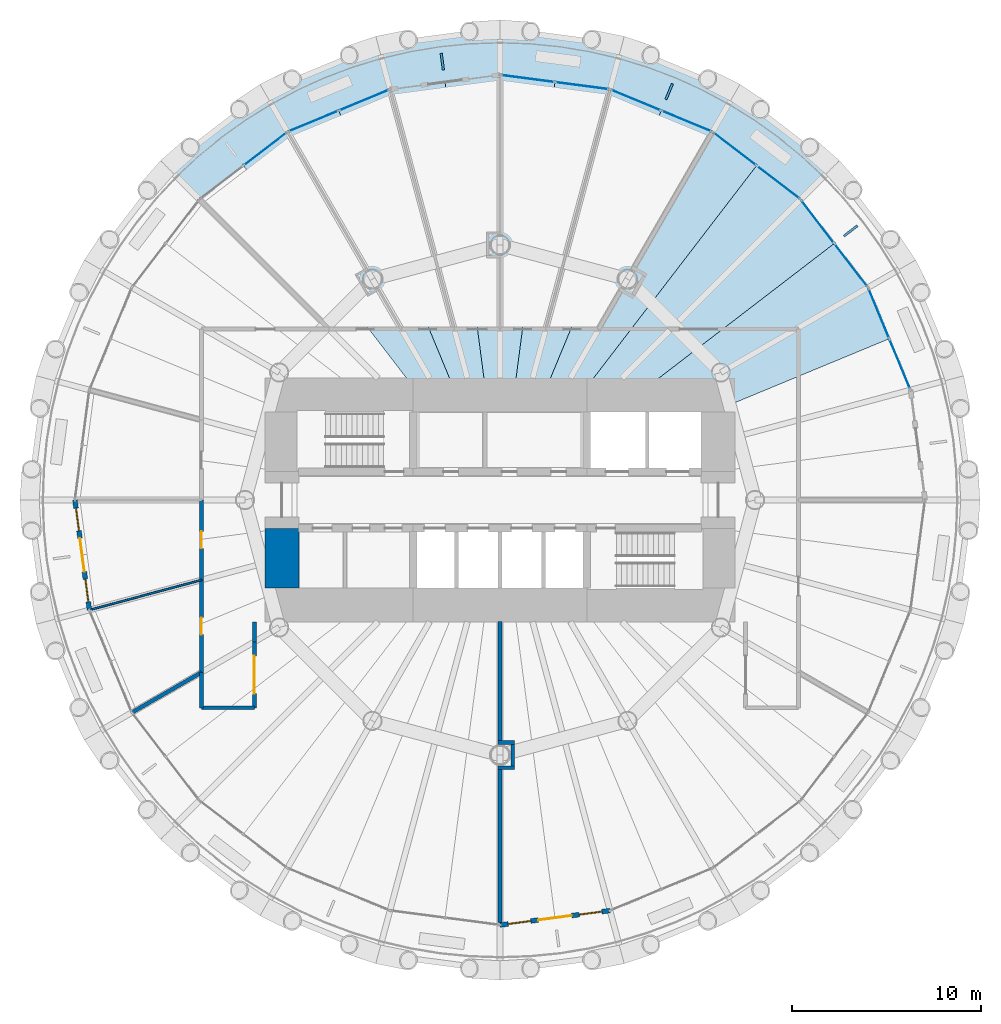
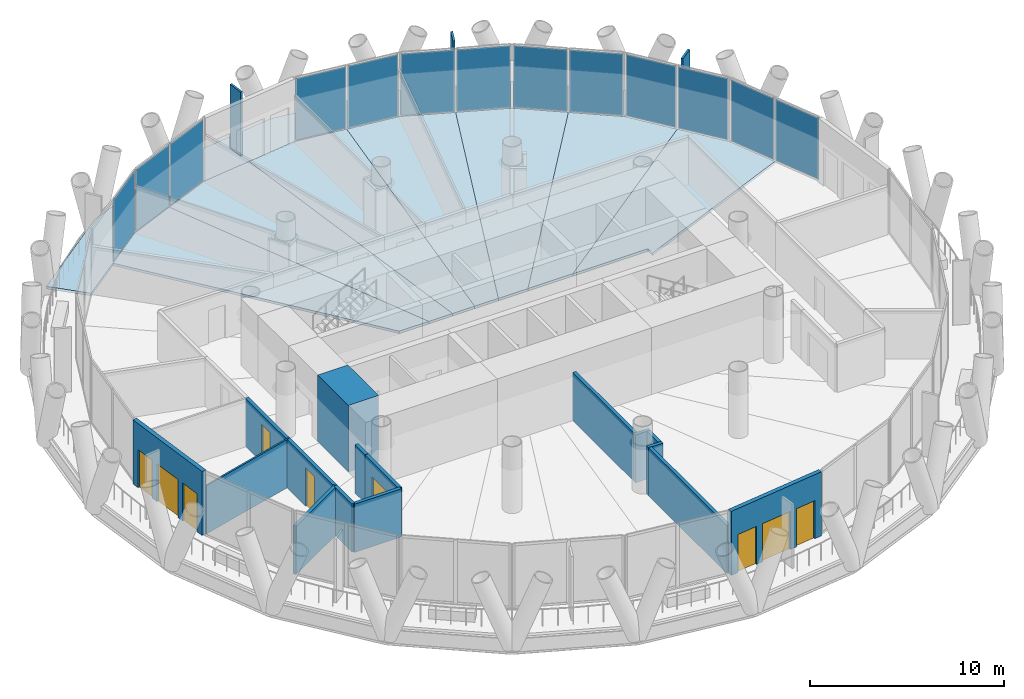
# One storey, part 8 of 15: 16 plates, 16 walls, 8 slabs, 5 doors, 4 windows, 9 openings, 7 elements without a shape of their own.
"""IFC4 building model written with IfcOpenShell, lengths in metres."""

from ifc_helpers import new_model, si_unit, direction, frame, frame_2d, origin, origin_2d, place, context, subcontext, project, spatial, polyline, rectangle, outline, extrude, material, layer, layer_set, type_object, element, fill, aggregate, save


model = new_model("IFC4")

# Units and contexts
model_context = context("Model", 3, precision=1e-05, world=origin(), true_north=direction((0.0, 1.0)))
body_context = subcontext(model_context, "Body", "Model", "MODEL_VIEW")
ifc_project = project(units=[si_unit("LENGTHUNIT", "METRE"), si_unit("AREAUNIT", "SQUARE_METRE"), si_unit("VOLUMEUNIT", "CUBIC_METRE"), si_unit("PLANEANGLEUNIT", "RADIAN"), si_unit("MASSUNIT", "GRAM", prefix="KILO")], contexts=[model_context])

# Site, building, storey
site_placement = place(None, origin())
site = spatial("IfcSite", under=ifc_project, at=site_placement, CompositionType="ELEMENT")
building_placement = place(site_placement, origin())
building = spatial("IfcBuilding", under=site, at=building_placement, Name="Qaws Media Tower", CompositionType="ELEMENT")
storey_placement = place(building_placement, frame((0.0, 0.0, 143.60009765625)))
storey = spatial("IfcBuildingStorey", under=building, at=storey_placement, Name="L32", CompositionType="ELEMENT", Elevation=143.60009765625)

# Slabs
ifc_material_1 = material(Name="Concrete C35/45", Category="concrete")
ifc_layer_1 = layer(ifc_material_1, 0.159912109375)
ifc_layer_set_1 = layer_set([ifc_layer_1], Name="Composite balcony slab 160")
slab_type_1 = type_object("IfcSlabType", Name="Composite balcony slab 160", PredefinedType="FLOOR", material=ifc_layer_set_1)
slab_1_placement = place(storey_placement, frame((0.0, 0.0, -0.16015625)))
element("IfcSlab", 1, at=slab_1_placement, inside=storey, type_object=slab_type_1, Name="S2 balcony slab L32 R04 to R10, movement joints on R04 and R10", PredefinedType="FLOOR", context=body_context, shape_type="SweptSolid", body=[
    extrude(outline(polyline([(47.550048828125, 71.56396484375), (53.555419921875, 74.051513671875), (60.0, 74.89990234375), (66.444580078125, 74.051513671875), (72.449951171875, 71.56396484375), (77.60693359375, 67.60693359375), (75.909912109375, 65.909912109375), (71.25, 69.485595703125), (65.823486328125, 71.7333984375), (60.0, 72.5), (54.176513671875, 71.7333984375), (48.75, 69.485595703125), (44.090087890625, 65.909912109375), (42.39306640625, 67.60693359375), (47.550048828125, 71.56396484375)])), origin(), (0.0, 0.0, 1.0), 0.16015625),
])
ifc_material_2 = material(Name="Concrete C35/45", Category="concrete")
ifc_layer_2 = layer(ifc_material_2, 0.159912109375)
ifc_layer_set_2 = layer_set([ifc_layer_2], Name="Composite floor slab 160")
slab_type_2 = type_object("IfcSlabType", Name="Composite floor slab 160", PredefinedType="FLOOR", material=ifc_layer_set_2)
slab_2_placement = place(storey_placement, frame((0.0, 0.0, -0.16015625)))
element("IfcSlab", 2, at=slab_2_placement, inside=storey, type_object=slab_type_2, Name="S1 floor panel L32 on R03", PredefinedType="FLOOR", context=body_context, shape_type="SweptSolid", body=[
    extrude(outline(polyline([(79.485595703125, 61.25), (80.609619140625, 58.53662109375), (71.0, 54.556396484375), (71.0, 55.0), (66.51611328125, 55.0), (77.69775390625, 63.580078125), (79.485595703125, 61.25)])), origin(), (0.0, 0.0, 1.0), 0.16015625),
])
slab_3_placement = place(storey_placement, frame((0.0, 0.0, -0.16015625)))
element("IfcSlab", 3, at=slab_3_placement, inside=storey, type_object=slab_type_2, Name="S1 floor panel L32 on R04", PredefinedType="FLOOR", context=body_context, shape_type="SweptSolid", body=[
    extrude(outline(polyline([(75.909912109375, 65.909912109375), (77.69775390625, 63.580078125), (66.51611328125, 55.0), (63.836669921875, 55.0), (73.580078125, 67.69775390625), (75.909912109375, 65.909912109375)])), origin(), (0.0, 0.0, 1.0), 0.16015625),
])
slab_4_placement = place(storey_placement, frame((0.0, 0.0, -0.16015625)))
element("IfcSlab", 4, at=slab_4_placement, inside=storey, type_object=slab_type_2, Name="S1 floor panel L32 on R05", PredefinedType="FLOOR", context=body_context, shape_type="SweptSolid", body=[
    extrude(outline(polyline([(71.25, 69.485595703125), (73.580078125, 67.69775390625), (63.836669921875, 55.0), (62.071044921875, 55.0), (68.53662109375, 70.609619140625), (71.25, 69.485595703125)])), origin(), (0.0, 0.0, 1.0), 0.16015625),
])
slab_5_placement = place(storey_placement, frame((0.0, 0.0, -0.16015625)))
element("IfcSlab", 5, at=slab_5_placement, inside=storey, type_object=slab_type_2, Name="S1 floor panel L32 on R06", PredefinedType="FLOOR", context=body_context, shape_type="SweptSolid", body=[
    extrude(outline(polyline([(65.823486328125, 71.7333984375), (68.53662109375, 70.609619140625), (62.071044921875, 55.0), (60.658203125, 55.0), (62.91162109375, 72.11669921875), (65.823486328125, 71.7333984375)])), origin(), (0.0, 0.0, 1.0), 0.16015625),
])
slab_6_placement = place(storey_placement, frame((0.0, 0.0, -0.16015625)))
element("IfcSlab", 6, at=slab_6_placement, inside=storey, type_object=slab_type_2, Name="S1 floor panel L32 on R07", PredefinedType="FLOOR", context=body_context, shape_type="SweptSolid", body=[
    extrude(outline(polyline([(60.0, 72.5), (62.91162109375, 72.11669921875), (60.658203125, 55.0), (59.341796875, 55.0), (57.08837890625, 72.11669921875), (60.0, 72.5)])), origin(), (0.0, 0.0, 1.0), 0.16015625),
])
slab_7_placement = place(storey_placement, frame((0.0, 0.0, -0.16015625)))
element("IfcSlab", 7, at=slab_7_placement, inside=storey, type_object=slab_type_2, Name="S1 floor panel L32 on R08", PredefinedType="FLOOR", context=body_context, shape_type="SweptSolid", body=[
    extrude(outline(polyline([(54.176513671875, 71.7333984375), (57.08837890625, 72.11669921875), (59.341796875, 55.0), (57.928955078125, 55.0), (51.46337890625, 70.609619140625), (54.176513671875, 71.7333984375)])), origin(), (0.0, 0.0, 1.0), 0.16015625),
])
slab_8_placement = place(storey_placement, frame((0.0, 0.0, -0.16015625)))
element("IfcSlab", 8, at=slab_8_placement, inside=storey, type_object=slab_type_2, Name="S1 floor panel L32 on R09", PredefinedType="FLOOR", context=body_context, shape_type="SweptSolid", body=[
    extrude(outline(polyline([(48.75, 69.485595703125), (51.46337890625, 70.609619140625), (57.928955078125, 55.0), (56.163330078125, 55.0), (46.419921875, 67.69775390625), (48.75, 69.485595703125)])), origin(), (0.0, 0.0, 1.0), 0.16015625),
])

# Curtain wall, plates
ifc_material_3 = material(Name="Aluminium and clear glass", Category="aluminium")
curtain_wall_type = type_object("IfcCurtainWallType", Name="Unitised curtain wall CW-B", PredefinedType="NOTDEFINED", material=ifc_material_3)
curtain_wall_1_placement = place(storey_placement, origin())
curtain_wall_1 = element("IfcCurtainWall", 9, at=curtain_wall_1_placement, inside=storey, type_object=curtain_wall_type, Name="CWB curtain wall L32-02", PredefinedType="NOTDEFINED")
ifc_material_4 = material(Name="Clear laminated double glazing", Category="glass")
ifc_layer_3 = layer(ifc_material_4, 0.031982421875)
ifc_layer_set_3 = layer_set([ifc_layer_3], Name="Curtain wall glass unit 32")
plate_type_1 = type_object("IfcPlateType", Name="Curtain wall glass unit 32", PredefinedType="CURTAIN_PANEL", material=ifc_layer_set_3)
plate_1_placement = place(storey_placement, frame((81.163818359375, 57.198486328125, 0.080078125), z_axis=(0.0, 0.0, 1.0), x_axis=(-0.38268338799, 0.923879550892, 0.0)))
plate_1 = element("IfcPlate", 10, at=plate_1_placement, type_object=plate_type_1, Name="CWB panel 1.1", PredefinedType="CURTAIN_PANEL", context=body_context, shape_type="SweptSolid", body=[
    extrude(rectangle(XDim=2.81689453125, YDim=0.031982421875, at=origin_2d()), origin(), (0.0, 0.0, 1.0), 3.8798828125),
])
plate_2_placement = place(storey_placement, frame((80.05517578125, 59.875, 0.080078125), z_axis=(0.0, 0.0, 1.0), x_axis=(-0.38268338799, 0.923879550892, 0.0)))
plate_2 = element("IfcPlate", 11, at=plate_2_placement, type_object=plate_type_1, Name="CWB panel 2.1", PredefinedType="CURTAIN_PANEL", context=body_context, shape_type="SweptSolid", body=[
    extrude(rectangle(XDim=2.81689453125, YDim=0.031982421875, at=origin_2d()), origin(), (0.0, 0.0, 1.0), 3.8798828125),
])
aggregate(curtain_wall_1, [plate_1, plate_2])

curtain_wall_2_placement = place(storey_placement, origin())
curtain_wall_2 = element("IfcCurtainWall", 12, at=curtain_wall_2_placement, inside=storey, type_object=curtain_wall_type, Name="CWB curtain wall L32-03", PredefinedType="NOTDEFINED")
plate_3_placement = place(storey_placement, frame((78.57958984375, 62.430908203125, 0.080078125), z_axis=(0.0, 0.0, 1.0), x_axis=(-0.608761393298, 0.793353367693, 0.0)))
plate_3 = element("IfcPlate", 13, at=plate_3_placement, type_object=plate_type_1, Name="CWB panel 1.1", PredefinedType="CURTAIN_PANEL", context=body_context, shape_type="SweptSolid", body=[
    extrude(rectangle(XDim=2.81689453125, YDim=0.031982421875, at=origin_2d()), origin(), (0.0, 0.0, 1.0), 3.8798828125),
])
plate_4_placement = place(storey_placement, frame((76.81591796875, 64.72900390625, 0.080078125), z_axis=(0.0, 0.0, 1.0), x_axis=(-0.608761393298, 0.793353367693, 0.0)))
plate_4 = element("IfcPlate", 14, at=plate_4_placement, type_object=plate_type_1, Name="CWB panel 2.1", PredefinedType="CURTAIN_PANEL", context=body_context, shape_type="SweptSolid", body=[
    extrude(rectangle(XDim=2.81689453125, YDim=0.031982421875, at=origin_2d()), origin(), (0.0, 0.0, 1.0), 3.8798828125),
])
aggregate(curtain_wall_2, [plate_3, plate_4])

curtain_wall_3_placement = place(storey_placement, origin())
curtain_wall_3 = element("IfcCurtainWall", 15, at=curtain_wall_3_placement, inside=storey, type_object=curtain_wall_type, Name="CWB curtain wall L32-04", PredefinedType="NOTDEFINED")
plate_5_placement = place(storey_placement, frame((74.72900390625, 66.81591796875, 0.080078125), z_axis=(0.0, 0.0, 1.0), x_axis=(-0.793353367693, 0.608761393298, 0.0)))
plate_5 = element("IfcPlate", 16, at=plate_5_placement, type_object=plate_type_1, Name="CWB panel 1.1", PredefinedType="CURTAIN_PANEL", context=body_context, shape_type="SweptSolid", body=[
    extrude(rectangle(XDim=2.81689453125, YDim=0.031982421875, at=origin_2d()), origin(), (0.0, 0.0, 1.0), 3.8798828125),
])
plate_6_placement = place(storey_placement, frame((72.430908203125, 68.57958984375, 0.080078125), z_axis=(0.0, 0.0, 1.0), x_axis=(-0.793353367693, 0.608761393298, 0.0)))
plate_6 = element("IfcPlate", 17, at=plate_6_placement, type_object=plate_type_1, Name="CWB panel 2.1", PredefinedType="CURTAIN_PANEL", context=body_context, shape_type="SweptSolid", body=[
    extrude(rectangle(XDim=2.81689453125, YDim=0.031982421875, at=origin_2d()), origin(), (0.0, 0.0, 1.0), 3.8798828125),
])
aggregate(curtain_wall_3, [plate_5, plate_6])

curtain_wall_4_placement = place(storey_placement, origin())
curtain_wall_4 = element("IfcCurtainWall", 18, at=curtain_wall_4_placement, inside=storey, type_object=curtain_wall_type, Name="CWB curtain wall L32-05", PredefinedType="NOTDEFINED")
plate_7_placement = place(storey_placement, frame((69.875, 70.05517578125, 0.080078125), z_axis=(0.0, 0.0, 1.0), x_axis=(-0.923879550892, 0.38268338799, 0.0)))
plate_7 = element("IfcPlate", 19, at=plate_7_placement, type_object=plate_type_1, Name="CWB panel 1.1", PredefinedType="CURTAIN_PANEL", context=body_context, shape_type="SweptSolid", body=[
    extrude(rectangle(XDim=2.81689453125, YDim=0.031982421875, at=origin_2d()), origin(), (0.0, 0.0, 1.0), 3.8798828125),
])
plate_8_placement = place(storey_placement, frame((67.198486328125, 71.163818359375, 0.080078125), z_axis=(0.0, 0.0, 1.0), x_axis=(-0.923879550892, 0.38268338799, 0.0)))
plate_8 = element("IfcPlate", 20, at=plate_8_placement, type_object=plate_type_1, Name="CWB panel 2.1", PredefinedType="CURTAIN_PANEL", context=body_context, shape_type="SweptSolid", body=[
    extrude(rectangle(XDim=2.81689453125, YDim=0.031982421875, at=origin_2d()), origin(), (0.0, 0.0, 1.0), 3.8798828125),
])
aggregate(curtain_wall_4, [plate_7, plate_8])

curtain_wall_5_placement = place(storey_placement, origin())
curtain_wall_5 = element("IfcCurtainWall", 21, at=curtain_wall_5_placement, inside=storey, type_object=curtain_wall_type, Name="CWB curtain wall L32-06", PredefinedType="NOTDEFINED")
plate_9_placement = place(storey_placement, frame((64.34765625, 71.927490234375, 0.080078125), z_axis=(0.0, 0.0, 1.0), x_axis=(-0.991444860766, 0.13052619684, 0.0)))
plate_9 = element("IfcPlate", 22, at=plate_9_placement, type_object=plate_type_1, Name="CWB panel 1.1", PredefinedType="CURTAIN_PANEL", context=body_context, shape_type="SweptSolid", body=[
    extrude(rectangle(XDim=2.81689453125, YDim=0.031982421875, at=origin_2d()), origin(), (0.0, 0.0, 1.0), 3.8798828125),
])
plate_10_placement = place(storey_placement, frame((61.4755859375, 72.3056640625, 0.080078125), z_axis=(0.0, 0.0, 1.0), x_axis=(-0.991444860766, 0.13052619684, 0.0)))
plate_10 = element("IfcPlate", 23, at=plate_10_placement, type_object=plate_type_1, Name="CWB panel 2.1", PredefinedType="CURTAIN_PANEL", context=body_context, shape_type="SweptSolid", body=[
    extrude(rectangle(XDim=2.81689453125, YDim=0.031982421875, at=origin_2d()), origin(), (0.0, 0.0, 1.0), 3.8798828125),
])
aggregate(curtain_wall_5, [plate_9, plate_10])

curtain_wall_6_placement = place(storey_placement, origin())
curtain_wall_6 = element("IfcCurtainWall", 24, at=curtain_wall_6_placement, inside=storey, type_object=curtain_wall_type, Name="CWB curtain wall L32-08", PredefinedType="NOTDEFINED")
plate_11_placement = place(storey_placement, frame((52.801513671875, 71.163818359375, 0.080078125), z_axis=(0.0, 0.0, 1.0), x_axis=(-0.923879550892, -0.38268338799, 0.0)))
plate_11 = element("IfcPlate", 25, at=plate_11_placement, type_object=plate_type_1, Name="CWB panel 1.1", PredefinedType="CURTAIN_PANEL", context=body_context, shape_type="SweptSolid", body=[
    extrude(rectangle(XDim=2.81689453125, YDim=0.031982421875, at=origin_2d()), origin(), (0.0, 0.0, 1.0), 3.8798828125),
])
plate_12_placement = place(storey_placement, frame((50.125, 70.05517578125, 0.080078125), z_axis=(0.0, 0.0, 1.0), x_axis=(-0.923879550892, -0.38268338799, 0.0)))
plate_12 = element("IfcPlate", 26, at=plate_12_placement, type_object=plate_type_1, Name="CWB panel 2.1", PredefinedType="CURTAIN_PANEL", context=body_context, shape_type="SweptSolid", body=[
    extrude(rectangle(XDim=2.81689453125, YDim=0.031982421875, at=origin_2d()), origin(), (0.0, 0.0, 1.0), 3.8798828125),
])
aggregate(curtain_wall_6, [plate_11, plate_12])

# Curtain wall, plate
curtain_wall_7_placement = place(storey_placement, origin())
curtain_wall_7 = element("IfcCurtainWall", 27, at=curtain_wall_7_placement, inside=storey, type_object=curtain_wall_type, Name="CWB curtain wall L32-09", PredefinedType="NOTDEFINED")
plate_13_placement = place(storey_placement, frame((47.569091796875, 68.57958984375, 0.080078125), z_axis=(0.0, 0.0, 1.0), x_axis=(-0.793353367693, -0.608761393298, 0.0)))
plate_13 = element("IfcPlate", 28, at=plate_13_placement, type_object=plate_type_1, Name="CWB panel 1.1", PredefinedType="CURTAIN_PANEL", context=body_context, shape_type="SweptSolid", body=[
    extrude(rectangle(XDim=2.81689453125, YDim=0.031982421875, at=origin_2d()), origin(), (0.0, 0.0, 1.0), 3.8798828125),
])
aggregate(curtain_wall_7, [plate_13])

# Plates
ifc_material_5 = material(Name="Precast concrete screen fin", Category="concrete")
ifc_layer_4 = layer(ifc_material_5, 0.1201171875)
ifc_layer_set_4 = layer_set([ifc_layer_4], Name="Screen fin 120x900")
plate_type_2 = type_object("IfcPlateType", Name="Screen fin 120x900", PredefinedType="USERDEFINED", material=ifc_layer_set_4)
for number, where, z_axis, x_axis, name in (
    (29, (78.564453125, 64.2451171875, 0.0), (0.0, 0.0, 1.0), (0.793353340291, 0.608761429009, 0.0), "SCR1 screen fin L32-02"),
    (30, (68.954833984375, 71.618896484375, 0.0), (0.0, 0.0, 1.0), (0.382683432365, 0.923879532511, 0.0), "SCR1 screen fin L32-03"),
    (31, (56.94580078125, 73.19970703125, 0.0), (0.0, 0.0, 1.0), (-0.13052619222, 0.991444861374, 0.0), "SCR1 screen fin L32-04"),
):
    element("IfcPlate", number, at=place(storey_placement, frame(where, z_axis=z_axis, x_axis=x_axis)), inside=storey, type_object=plate_type_2, Name=name, ObjectType="SCREEN", PredefinedType="USERDEFINED", context=body_context, shape_type="SweptSolid", body=[
        extrude(rectangle(XDim=0.89990234375, YDim=0.1201171875, at=origin_2d()), origin(), (0.0, 0.0, 1.0), 4.0400390625),
    ])

# Wall, openings, door, windows
ifc_material_6 = material(Name="Precast concrete, exposed finish", Category="concrete")
ifc_layer_5 = layer(ifc_material_6, 0.25)
ifc_layer_set_5 = layer_set([ifc_layer_5], Name="Balcony door wall 250")
wall_type_1 = type_object("IfcWallType", Name="Balcony door wall 250", PredefinedType="SOLIDWALL", material=ifc_layer_set_5)
wall_1_placement = place(storey_placement, frame((37.5, 50.0, 0.0), z_axis=(0.0, 0.0, 1.0), x_axis=(0.13051364818, -0.991446512747, 0.0)))
wall_1 = element("IfcWall", 32, at=wall_1_placement, inside=storey, type_object=wall_type_1, Name="W133 EW1 balcony door wall L32-13", PredefinedType="SOLIDWALL", context=body_context, shape_type="SweptSolid", body=[
    extrude(rectangle(XDim=5.873779296875, YDim=0.25, at=frame_2d((2.93701171875, 0.0))), origin(), (0.0, 0.0, 1.0), 4.039794921875),
])
opening_1_placement = place(wall_1_placement, frame((2.036865234375, 0.0, 0.0)))
opening_1 = element("IfcOpeningElement", 33, at=opening_1_placement, cuts=wall_1, Name="Opening D7", PredefinedType="OPENING", context=body_context, shape_type="SweptSolid", body=[
    extrude(rectangle(XDim=1.800048828125, YDim=2.39990234375, at=frame_2d((0.89990234375, 1.199951171875))), frame((0.0, 0.135009765625, 0.0), z_axis=(0.0, -1.0, 0.0), x_axis=(1.0, 0.0, 0.0)), (0.0, 0.0, 1.0), 0.27001953125),
])
opening_2_placement = place(wall_1_placement, frame((0.436767578125, 0.0, 0.0)))
opening_2 = element("IfcOpeningElement", 34, at=opening_2_placement, cuts=wall_1, Name="Opening W1", PredefinedType="OPENING", context=body_context, shape_type="SweptSolid", body=[
    extrude(rectangle(XDim=1.199951171875, YDim=2.39990234375, at=frame_2d((0.60009765625, 1.199951171875))), frame((0.0, 0.135009765625, 0.0), z_axis=(0.0, -1.0, 0.0), x_axis=(1.0, 0.0, 0.0)), (0.0, 0.0, 1.0), 0.27001953125),
])
opening_3_placement = place(wall_1_placement, frame((4.23681640625, 0.0, 0.0)))
opening_3 = element("IfcOpeningElement", 35, at=opening_3_placement, cuts=wall_1, Name="Opening W1", PredefinedType="OPENING", context=body_context, shape_type="SweptSolid", body=[
    extrude(rectangle(XDim=1.199951171875, YDim=2.39990234375, at=frame_2d((0.60009765625, 1.199951171875))), frame((0.0, 0.135009765625, 0.0), z_axis=(0.0, -1.0, 0.0), x_axis=(1.0, 0.0, 0.0)), (0.0, 0.0, 1.0), 0.27001953125),
])
ifc_material_7 = material(Name="Aluminium and clear glass", Category="aluminium")
door_type_1 = type_object("IfcDoorType", Name="Balcony door pair 1800", OperationType="DOUBLE_DOOR_SLIDING", PredefinedType="DOOR", material=ifc_material_7)
door_1_placement = place(opening_1_placement, origin())
door_1 = element("IfcDoor", 36, at=door_1_placement, inside=storey, type_object=door_type_1, Name="D7 balcony door L32-13 in wall W133", OperationType="DOUBLE_DOOR_SLIDING", OverallHeight=2.39990234375, OverallWidth=1.800048828125, PredefinedType="DOOR", context=body_context, shape_type="SweptSolid", body=[
    extrude(rectangle(XDim=1.800048828125, YDim=2.39990234375, at=frame_2d((0.89990234375, 1.199951171875))), frame((0.0, 0.02490234375, 0.0), z_axis=(0.0, -1.0, 0.0), x_axis=(1.0, 0.0, 0.0)), (0.0, 0.0, 1.0), 0.050048828125),
])
fill(opening_1, door_1)
ifc_material_8 = material(Name="Aluminium and clear glass", Category="aluminium")
window_type = type_object("IfcWindowType", Name="Balcony side window 1200", PartitioningType="SINGLE_PANEL", PredefinedType="WINDOW", material=ifc_material_8)
window_1_placement = place(opening_2_placement, origin())
window_1 = element("IfcWindow", 37, at=window_1_placement, inside=storey, type_object=window_type, Name="W1 balcony side light L32-13L", OverallHeight=2.39990234375, OverallWidth=1.199951171875, PartitioningType="SINGLE_PANEL", PredefinedType="WINDOW", context=body_context, shape_type="SweptSolid", body=[
    extrude(rectangle(XDim=1.199951171875, YDim=2.39990234375, at=frame_2d((0.60009765625, 1.199951171875))), frame((0.0, 0.030029296875, 0.0), z_axis=(0.0, -1.0, 0.0), x_axis=(1.0, 0.0, 0.0)), (0.0, 0.0, 1.0), 0.06005859375),
])
fill(opening_2, window_1)
window_2_placement = place(opening_3_placement, origin())
window_2 = element("IfcWindow", 38, at=window_2_placement, inside=storey, type_object=window_type, Name="W1 balcony side light L32-13R", OverallHeight=2.39990234375, OverallWidth=1.199951171875, PartitioningType="SINGLE_PANEL", PredefinedType="WINDOW", context=body_context, shape_type="SweptSolid", body=[
    extrude(rectangle(XDim=1.199951171875, YDim=2.39990234375, at=frame_2d((0.60009765625, 1.199951171875))), frame((0.0, 0.030029296875, 0.0), z_axis=(0.0, -1.0, 0.0), x_axis=(1.0, 0.0, 0.0)), (0.0, 0.0, 1.0), 0.06005859375),
])
fill(opening_3, window_2)

wall_2_placement = place(storey_placement, frame((60.0, 27.5, 0.0), z_axis=(0.0, 0.0, 1.0), x_axis=(0.991446512747, 0.13051364818, 0.0)))
wall_2 = element("IfcWall", 39, at=wall_2_placement, inside=storey, type_object=wall_type_1, Name="W134 EW1 balcony door wall L32-19", PredefinedType="SOLIDWALL", context=body_context, shape_type="SweptSolid", body=[
    extrude(rectangle(XDim=5.873779296875, YDim=0.25, at=frame_2d((2.93701171875, 0.0))), origin(), (0.0, 0.0, 1.0), 4.039794921875),
])
opening_4_placement = place(wall_2_placement, frame((2.036865234375, 0.0, 0.0)))
opening_4 = element("IfcOpeningElement", 40, at=opening_4_placement, cuts=wall_2, Name="Opening D7", PredefinedType="OPENING", context=body_context, shape_type="SweptSolid", body=[
    extrude(rectangle(XDim=1.800048828125, YDim=2.39990234375, at=frame_2d((0.89990234375, 1.199951171875))), frame((0.0, 0.135009765625, 0.0), z_axis=(0.0, -1.0, 0.0), x_axis=(1.0, 0.0, 0.0)), (0.0, 0.0, 1.0), 0.27001953125),
])
opening_5_placement = place(wall_2_placement, frame((0.436767578125, 0.0, 0.0)))
opening_5 = element("IfcOpeningElement", 41, at=opening_5_placement, cuts=wall_2, Name="Opening W1", PredefinedType="OPENING", context=body_context, shape_type="SweptSolid", body=[
    extrude(rectangle(XDim=1.199951171875, YDim=2.39990234375, at=frame_2d((0.60009765625, 1.199951171875))), frame((0.0, 0.135009765625, 0.0), z_axis=(0.0, -1.0, 0.0), x_axis=(1.0, 0.0, 0.0)), (0.0, 0.0, 1.0), 0.27001953125),
])
opening_6_placement = place(wall_2_placement, frame((4.23681640625, 0.0, 0.0)))
opening_6 = element("IfcOpeningElement", 42, at=opening_6_placement, cuts=wall_2, Name="Opening W1", PredefinedType="OPENING", context=body_context, shape_type="SweptSolid", body=[
    extrude(rectangle(XDim=1.199951171875, YDim=2.39990234375, at=frame_2d((0.60009765625, 1.199951171875))), frame((0.0, 0.135009765625, 0.0), z_axis=(0.0, -1.0, 0.0), x_axis=(1.0, 0.0, 0.0)), (0.0, 0.0, 1.0), 0.27001953125),
])
door_2_placement = place(opening_4_placement, origin())
door_2 = element("IfcDoor", 43, at=door_2_placement, inside=storey, type_object=door_type_1, Name="D7 balcony door L32-19 in wall W134", OperationType="DOUBLE_DOOR_SLIDING", OverallHeight=2.39990234375, OverallWidth=1.800048828125, PredefinedType="DOOR", context=body_context, shape_type="SweptSolid", body=[
    extrude(rectangle(XDim=1.800048828125, YDim=2.39990234375, at=frame_2d((0.89990234375, 1.199951171875))), frame((0.0, 0.02490234375, 0.0), z_axis=(0.0, -1.0, 0.0), x_axis=(1.0, 0.0, 0.0)), (0.0, 0.0, 1.0), 0.050048828125),
])
fill(opening_4, door_2)
window_3_placement = place(opening_5_placement, origin())
window_3 = element("IfcWindow", 44, at=window_3_placement, inside=storey, type_object=window_type, Name="W1 balcony side light L32-19L", OverallHeight=2.39990234375, OverallWidth=1.199951171875, PartitioningType="SINGLE_PANEL", PredefinedType="WINDOW", context=body_context, shape_type="SweptSolid", body=[
    extrude(rectangle(XDim=1.199951171875, YDim=2.39990234375, at=frame_2d((0.60009765625, 1.199951171875))), frame((0.0, 0.030029296875, 0.0), z_axis=(0.0, -1.0, 0.0), x_axis=(1.0, 0.0, 0.0)), (0.0, 0.0, 1.0), 0.06005859375),
])
fill(opening_5, window_3)
window_4_placement = place(opening_6_placement, origin())
window_4 = element("IfcWindow", 45, at=window_4_placement, inside=storey, type_object=window_type, Name="W1 balcony side light L32-19R", OverallHeight=2.39990234375, OverallWidth=1.199951171875, PartitioningType="SINGLE_PANEL", PredefinedType="WINDOW", context=body_context, shape_type="SweptSolid", body=[
    extrude(rectangle(XDim=1.199951171875, YDim=2.39990234375, at=frame_2d((0.60009765625, 1.199951171875))), frame((0.0, 0.030029296875, 0.0), z_axis=(0.0, -1.0, 0.0), x_axis=(1.0, 0.0, 0.0)), (0.0, 0.0, 1.0), 0.06005859375),
])
fill(opening_6, window_4)

# Walls
ifc_material_9 = material(Name="Concrete C60/75", Category="concrete")
ifc_layer_6 = layer(ifc_material_9, 1.800048828125)
ifc_layer_set_6 = layer_set([ifc_layer_6], Name="Core wall 1800")
wall_type_2 = type_object("IfcWallType", Name="Core wall 1800", PredefinedType="SHEAR", material=ifc_layer_set_6)
wall_3_placement = place(storey_placement, frame((48.449951171875, 45.330078125, 0.0), z_axis=(0.0, 0.0, 1.0), x_axis=(0.0, 1.0, 0.0)))
element("IfcWall", 46, at=wall_3_placement, inside=storey, type_object=wall_type_2, Name="W418 SW11 core wall WS L32", PredefinedType="SHEAR", context=body_context, shape_type="SweptSolid", body=[
    extrude(rectangle(XDim=3.169921875, YDim=1.800048828125, at=frame_2d((1.5849609375, 0.0))), origin(), (0.0, 0.0, 1.0), 4.199951171875),
])
ifc_material_10 = material(Name="Gypsum board on 70 metal studs, single layer each side", Category="gypsum")
ifc_layer_7 = layer(ifc_material_10, 0.10009765625)
ifc_layer_set_7 = layer_set([ifc_layer_7], Name="Office stud partition 100")
wall_type_3 = type_object("IfcWallType", Name="Office stud partition 100", PredefinedType="PARTITIONING", material=ifc_layer_set_7)
wall_4_placement = place(storey_placement, frame((44.197509765625, 45.765625, 0.0), z_axis=(0.0, 0.0, 1.0), x_axis=(-0.965934430412, -0.258786931944, 0.0)))
element("IfcWall", 47, at=wall_4_placement, inside=storey, type_object=wall_type_3, Name="W680 IW4 partition L32", PredefinedType="PARTITIONING", context=body_context, shape_type="SweptSolid", body=[
    extrude(rectangle(XDim=6.0, YDim=0.10009765625, at=frame_2d((3.0, 0.0))), origin(), (0.0, 0.0, 1.0), 3.039794921875),
])
ifc_material_11 = material(Name="Gypsum board on galvanised metal studs, acoustic double stud, deflection head", Category="gypsum")
ifc_layer_8 = layer(ifc_material_11, 0.199951171875)
ifc_layer_set_8 = layer_set([ifc_layer_8], Name="Room partition 200")
wall_type_4 = type_object("IfcWallType", Name="Room partition 200", PredefinedType="PARTITIONING", material=ifc_layer_set_8)
wall_5_placement = place(storey_placement, frame((47.0, 43.550048828125, 0.0), z_axis=(0.0, 0.0, 1.0), x_axis=(0.0, -1.0, 0.0)))
element("IfcWall", 48, at=wall_5_placement, inside=storey, type_object=wall_type_4, Name="W1224 IW3 partition L32", PredefinedType="PARTITIONING", context=body_context, shape_type="SweptSolid", body=[
    extrude(rectangle(XDim=1.0556640625, YDim=0.199951171875, at=frame_2d((0.52783203125, 0.0))), origin(), (0.0, 0.0, 1.0), 3.039794921875),
])

# Wall, opening, door
wall_6_placement = place(storey_placement, frame((47.0, 42.494384765625, 0.0), z_axis=(0.0, 0.0, 1.0), x_axis=(0.0, -1.0, 0.0)))
wall_6 = element("IfcWall", 49, at=wall_6_placement, inside=storey, type_object=wall_type_4, Name="W1223 IW3 partition L32", PredefinedType="PARTITIONING", context=body_context, shape_type="SweptSolid", body=[
    extrude(rectangle(XDim=3.494384765625, YDim=0.199951171875, at=frame_2d((1.7470703125, 0.0))), origin(), (0.0, 0.0, 1.0), 3.039794921875),
])
opening_7_placement = place(wall_6_placement, frame((0.747314453125, 0.0, 0.0)))
opening_7 = element("IfcOpeningElement", 50, at=opening_7_placement, cuts=wall_6, Name="Opening D6", PredefinedType="OPENING", context=body_context, shape_type="SweptSolid", body=[
    extrude(rectangle(XDim=2.0, YDim=2.10009765625, at=frame_2d((1.0, 1.050048828125))), frame((0.0, 0.10986328125, 0.0), z_axis=(0.0, -1.0, 0.0), x_axis=(1.0, 0.0, 0.0)), (0.0, 0.0, 1.0), 0.219970703125),
])
ifc_material_12 = material(Name="Steel, acoustic, fire rated", Category="steel")
door_type_2 = type_object("IfcDoorType", Name="Room door pair 2000", OperationType="DOUBLE_DOOR_DOUBLE_SWING", PredefinedType="DOOR", material=ifc_material_12)
door_3_placement = place(opening_7_placement, origin())
door_3 = element("IfcDoor", 51, at=door_3_placement, inside=storey, type_object=door_type_2, Name="D6 Paralegal office door L32 in wall W1223", OperationType="DOUBLE_DOOR_DOUBLE_SWING", OverallHeight=2.10009765625, OverallWidth=2.0, PredefinedType="DOOR", context=body_context, shape_type="SweptSolid", body=[
    extrude(rectangle(XDim=2.0, YDim=2.10009765625, at=frame_2d((1.0, 1.050048828125))), frame((0.0, 0.02490234375, 0.0), z_axis=(0.0, -1.0, 0.0), x_axis=(1.0, 0.0, 0.0)), (0.0, 0.0, 1.0), 0.050048828125),
])
fill(opening_7, door_3)

# Walls
wall_7_placement = place(storey_placement, frame((47.0, 39.0, 0.0), z_axis=(0.0, 0.0, 1.0), x_axis=(-1.0, 0.0, 0.0)))
element("IfcWall", 52, at=wall_7_placement, inside=storey, type_object=wall_type_4, Name="W1222 IW3 partition L32", PredefinedType="PARTITIONING", context=body_context, shape_type="SweptSolid", body=[
    extrude(rectangle(XDim=2.800048828125, YDim=0.199951171875, at=frame_2d((1.39990234375, 0.0))), origin(), (0.0, 0.0, 1.0), 3.039794921875),
])
wall_8_placement = place(storey_placement, frame((44.199951171875, 39.0, 0.0), z_axis=(0.0, 0.0, 1.0), x_axis=(0.0, 1.0, 0.0)))
element("IfcWall", 53, at=wall_8_placement, inside=storey, type_object=wall_type_4, Name="W1215 IW3 partition L32", PredefinedType="PARTITIONING", context=body_context, shape_type="SweptSolid", body=[
    extrude(rectangle(XDim=1.8779296875, YDim=0.199951171875, at=frame_2d((0.93896484375, 0.0))), origin(), (0.0, 0.0, 1.0), 3.039794921875),
])

# Wall, opening, door
wall_9_placement = place(storey_placement, frame((44.199951171875, 40.8779296875, 0.0), z_axis=(0.0, 0.0, 1.0), x_axis=(0.0, 1.0, 0.0)))
wall_9 = element("IfcWall", 54, at=wall_9_placement, inside=storey, type_object=wall_type_4, Name="W1216 IW3 partition L32", PredefinedType="PARTITIONING", context=body_context, shape_type="SweptSolid", body=[
    extrude(rectangle(XDim=4.888427734375, YDim=0.199951171875, at=frame_2d((2.4443359375, 0.0))), origin(), (0.0, 0.0, 1.0), 3.039794921875),
])
opening_8_placement = place(wall_9_placement, frame((1.994384765625, 0.0, 0.0)))
opening_8 = element("IfcOpeningElement", 55, at=opening_8_placement, cuts=wall_9, Name="Opening D12", PredefinedType="OPENING", context=body_context, shape_type="SweptSolid", body=[
    extrude(rectangle(XDim=0.89990234375, YDim=2.39990234375, at=frame_2d((0.449951171875, 1.199951171875))), frame((0.0, 0.10986328125, 0.0), z_axis=(0.0, -1.0, 0.0), x_axis=(1.0, 0.0, 0.0)), (0.0, 0.0, 1.0), 0.219970703125),
])
ifc_material_13 = material(Name="Timber veneered, full height", Category="wood")
door_type_3 = type_object("IfcDoorType", Name="Office door 900x2400", OperationType="SINGLE_SWING_LEFT", PredefinedType="DOOR", material=ifc_material_13)
door_4_placement = place(opening_8_placement, origin())
door_4 = element("IfcDoor", 56, at=door_4_placement, inside=storey, type_object=door_type_3, Name="D12 Office door L32 in wall W1216", OperationType="SINGLE_SWING_LEFT", OverallHeight=2.39990234375, OverallWidth=0.89990234375, PredefinedType="DOOR", context=body_context, shape_type="SweptSolid", body=[
    extrude(rectangle(XDim=0.89990234375, YDim=2.39990234375, at=frame_2d((0.449951171875, 1.199951171875))), frame((0.0, 0.02490234375, 0.0), z_axis=(0.0, -1.0, 0.0), x_axis=(1.0, 0.0, 0.0)), (0.0, 0.0, 1.0), 0.050048828125),
])
fill(opening_8, door_4)

wall_10_placement = place(storey_placement, frame((44.199951171875, 45.766357421875, 0.0), z_axis=(0.0, 0.0, 1.0), x_axis=(0.0, 1.0, 0.0)))
wall_10 = element("IfcWall", 57, at=wall_10_placement, inside=storey, type_object=wall_type_4, Name="W1217 IW3 partition L32", PredefinedType="PARTITIONING", context=body_context, shape_type="SweptSolid", body=[
    extrude(rectangle(XDim=4.233642578125, YDim=0.199951171875, at=frame_2d((2.11669921875, 0.0))), origin(), (0.0, 0.0, 1.0), 3.039794921875),
])
opening_9_placement = place(wall_10_placement, frame((1.666748046875, 0.0, 0.0)))
opening_9 = element("IfcOpeningElement", 58, at=opening_9_placement, cuts=wall_10, Name="Opening D12", PredefinedType="OPENING", context=body_context, shape_type="SweptSolid", body=[
    extrude(rectangle(XDim=0.89990234375, YDim=2.39990234375, at=frame_2d((0.449951171875, 1.199951171875))), frame((0.0, 0.10986328125, 0.0), z_axis=(0.0, -1.0, 0.0), x_axis=(1.0, 0.0, 0.0)), (0.0, 0.0, 1.0), 0.219970703125),
])
door_5_placement = place(opening_9_placement, origin())
door_5 = element("IfcDoor", 59, at=door_5_placement, inside=storey, type_object=door_type_3, Name="D12 Office door L32 in wall W1217", OperationType="SINGLE_SWING_LEFT", OverallHeight=2.39990234375, OverallWidth=0.89990234375, PredefinedType="DOOR", context=body_context, shape_type="SweptSolid", body=[
    extrude(rectangle(XDim=0.89990234375, YDim=2.39990234375, at=frame_2d((0.449951171875, 1.199951171875))), frame((0.0, 0.02490234375, 0.0), z_axis=(0.0, -1.0, 0.0), x_axis=(1.0, 0.0, 0.0)), (0.0, 0.0, 1.0), 0.050048828125),
])
fill(opening_9, door_5)

# Walls
wall_11_placement = place(storey_placement, frame((44.20361328125, 40.8798828125, 0.0), z_axis=(0.0, 0.0, 1.0), x_axis=(-0.866034326667, -0.499984544796, 0.0)))
element("IfcWall", 60, at=wall_11_placement, inside=storey, type_object=wall_type_4, Name="W1308 IW3 partition L32", PredefinedType="PARTITIONING", context=body_context, shape_type="SweptSolid", body=[
    extrude(rectangle(XDim=4.219970703125, YDim=0.199951171875, at=frame_2d((2.10986328125, 0.0))), origin(), (0.0, 0.0, 1.0), 3.039794921875),
])
for number, where, z_axis, x_axis, name in (
    (61, (59.89990234375, 37.16796875, 0.0), (0.0, 0.0, 1.0), (1.0, 0.0, 0.0), "W1286 IW3 partition return L32"),
    (62, (59.89990234375, 35.83203125, 0.0), (0.0, 0.0, 1.0), (1.0, 0.0, 0.0), "W1285 IW3 partition return L32"),
):
    element("IfcWall", number, at=place(storey_placement, frame(where, z_axis=z_axis, x_axis=x_axis)), inside=storey, type_object=wall_type_4, Name=name, PredefinedType="PARTITIONING", context=body_context, shape_type="SweptSolid", body=[
        extrude(rectangle(XDim=0.878173828125, YDim=0.199951171875, at=frame_2d((0.43896484375, 0.0))), origin(), (0.0, 0.0, 1.0), 3.02001953125),
    ])
wall_12_placement = place(storey_placement, frame((60.677978515625, 37.068115234375, 0.0), z_axis=(0.0, 0.0, 1.0), x_axis=(0.0, -1.0, 0.0)))
element("IfcWall", 63, at=wall_12_placement, inside=storey, type_object=wall_type_4, Name="W1290 IW3 partition return L32", PredefinedType="PARTITIONING", context=body_context, shape_type="SweptSolid", body=[
    extrude(rectangle(XDim=1.13623046875, YDim=0.199951171875, at=frame_2d((0.568115234375, 0.0))), origin(), (0.0, 0.0, 1.0), 3.02001953125),
])
wall_13_placement = place(storey_placement, frame((60.0, 43.56005859375, 0.0), z_axis=(0.0, 0.0, 1.0), x_axis=(0.0, -1.0, 0.0)))
element("IfcWall", 64, at=wall_13_placement, inside=storey, type_object=wall_type_4, Name="W1288 IW3 partition L32", PredefinedType="PARTITIONING", context=body_context, shape_type="SweptSolid", body=[
    extrude(rectangle(XDim=6.2919921875, YDim=0.199951171875, at=frame_2d((3.14599609375, 0.0))), origin(), (0.0, 0.0, 1.0), 3.039794921875),
])
wall_14_placement = place(storey_placement, frame((60.0, 35.73193359375, 0.0), z_axis=(0.0, 0.0, 1.0), x_axis=(0.0, -1.0, 0.0)))
element("IfcWall", 65, at=wall_14_placement, inside=storey, type_object=wall_type_4, Name="W1310 IW3 partition L32", PredefinedType="PARTITIONING", context=body_context, shape_type="SweptSolid", body=[
    extrude(rectangle(XDim=8.092041015625, YDim=0.199951171875, at=frame_2d((4.0458984375, 0.0))), origin(), (0.0, 0.0, 1.0), 3.039794921875),
])

save(model, "model.ifc")
